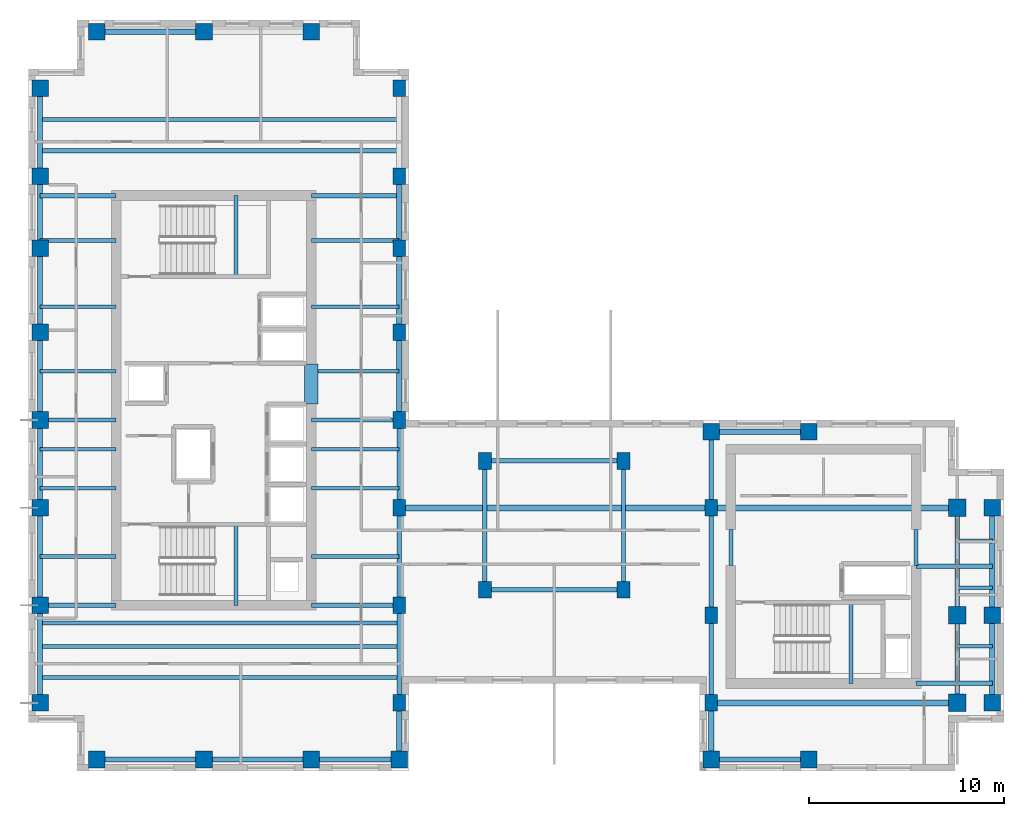
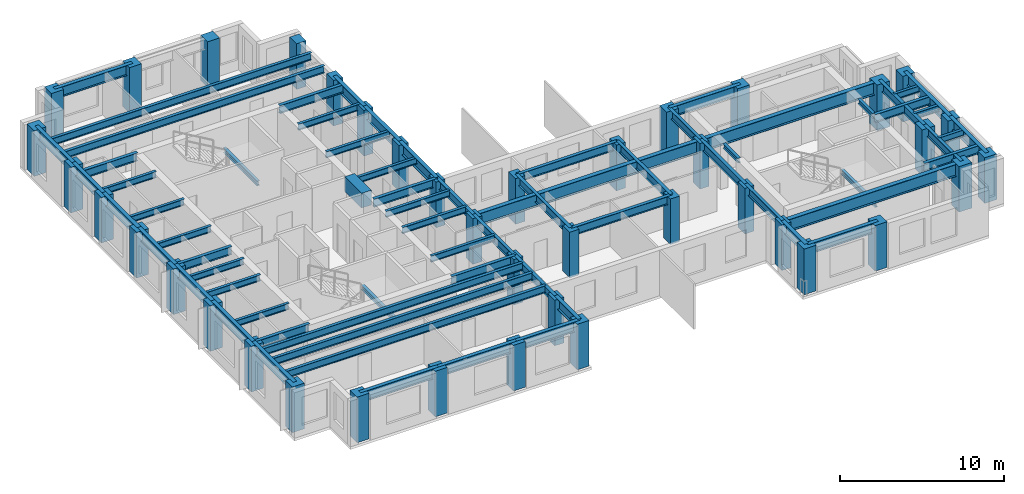
# One storey, part 1 of 10: 69 beams, 40 columns.
"""IFC4 building model written with IfcOpenShell, lengths in metres."""

import ifcopenshell
import ifcopenshell.guid

model = None  # the IFC model being written
_history = None  # IfcOwnerHistory: only IFC2X3 demands one
_inside = {}  # id of a spatial element -> (the spatial element, [elements in it])
_under = {}  # id of a project, library or spatial element -> (it, [spatial elements below it])
_declared = {}  # id of a project -> (the project, [libraries it declares])
_typed = {}  # id of a type object -> (the type object, [elements of that type])
_made_of = {}  # id of a material, layer set ... -> (it, [elements and type objects made of it])


def new_model(schema):
    """Start an empty IFC model of exactly this schema.

    Asked for "IFC4X3", IfcOpenShell would pick the latest addendum, in which some entities
    have other attributes; the version numbers below select the first issue.
    IFC2X3 requires an IfcOwnerHistory on every rooted entity: one is made here for all.
    """
    global model, _history
    if schema == "IFC4X3":
        model = ifcopenshell.file(schema_version=(4, 3, 0, 0))
    else:
        model = ifcopenshell.file(schema=schema)
    _inside.clear()
    _under.clear()
    _declared.clear()
    _typed.clear()
    _made_of.clear()
    _history = None
    if model.schema == "IFC2X3":
        org = make("IfcOrganization", Name="unknown")
        user = make(
            "IfcPersonAndOrganization",
            ThePerson=make("IfcPerson", FamilyName="unknown"),
            TheOrganization=org,
        )
        app = make(
            "IfcApplication",
            ApplicationDeveloper=org,
            Version="unknown",
            ApplicationFullName="unknown",
            ApplicationIdentifier="unknown",
        )
        _history = make(
            "IfcOwnerHistory",
            OwningUser=user,
            OwningApplication=app,
            ChangeAction="ADDED",
            CreationDate=0,
        )
    return model


def make(cls, **values):
    """One entity of the class cls with the attributes given. An attribute that is None is left unset."""
    return model.create_entity(
        cls, **{name: value for name, value in values.items() if value is not None}
    )


def rooted(cls, **values):
    """An entity with a GlobalId (a new one), such as an element, a storey or a relation."""
    return make(cls, GlobalId=ifcopenshell.guid.new(), OwnerHistory=_history, **values)


def si_unit(unit_type, name, prefix=None):
    """IfcSIUnit, for example si_unit("LENGTHUNIT", "METRE", prefix="MILLI")."""
    return make("IfcSIUnit", UnitType=unit_type, Prefix=prefix, Name=name)


def assignment(units):
    """IfcUnitAssignment: the units of a project."""
    return None if units is None else make("IfcUnitAssignment", Units=units)


def point(xyz):
    """IfcCartesianPoint."""
    return None if xyz is None else make("IfcCartesianPoint", Coordinates=xyz)


def direction(xyz):
    """IfcDirection."""
    return None if xyz is None else make("IfcDirection", DirectionRatios=xyz)


def frame(location, z_axis=None, x_axis=None):
    """IfcAxis2Placement3D, a coordinate frame: its origin and axes. An axis left out is left unset."""
    return make(
        "IfcAxis2Placement3D",
        Location=point(location),
        Axis=direction(z_axis),
        RefDirection=direction(x_axis),
    )


def frame_2d(location, x_axis=None):
    """IfcAxis2Placement2D, a coordinate frame in the plane: its origin and x axis."""
    return make(
        "IfcAxis2Placement2D", Location=point(location), RefDirection=direction(x_axis)
    )


def origin():
    """The frame at (0, 0, 0) with its axes left unset."""
    return frame((0.0, 0.0, 0.0))


def origin_2d():
    """The frame at (0, 0) in the plane with its x axis left unset."""
    return frame_2d((0.0, 0.0))


def place(relative_to, where):
    """IfcLocalPlacement: puts the frame where relative to a parent placement (None: the world)."""
    return make(
        "IfcLocalPlacement", PlacementRelTo=relative_to, RelativePlacement=where
    )


def context(
    kind, dimensions, precision=None, world=None, true_north=None, identifier=None
):
    """IfcGeometricRepresentationContext, for example the 3D "Model" context."""
    return make(
        "IfcGeometricRepresentationContext",
        ContextIdentifier=identifier,
        ContextType=kind,
        CoordinateSpaceDimension=dimensions,
        Precision=precision,
        WorldCoordinateSystem=world,
        TrueNorth=true_north,
    )


def subcontext(parent, identifier, kind, view, scale=None):
    """IfcGeometricRepresentationSubContext, for example "Body" below "Model"."""
    return make(
        "IfcGeometricRepresentationSubContext",
        ContextIdentifier=identifier,
        ContextType=kind,
        ParentContext=parent,
        TargetScale=scale,
        TargetView=view,
    )


def project(units=None, contexts=None):
    """IfcProject with its units and contexts."""
    return rooted(
        "IfcProject",
        Name="project",
        RepresentationContexts=contexts,
        UnitsInContext=assignment(units),
    )


def spatial(cls, under=None, at=None, **own):
    """A site, building, storey or space (cls), placed at a placement, below another one or the project."""
    s = rooted(cls, ObjectPlacement=at, **own)
    if under is not None:
        _under.setdefault(under.id(), (under, []))[1].append(s)
    return s


def profile(cls, at=None, kind="AREA", **sizes):
    """A parametric profile (cls). Its sizes go by their IFC names, for example OverallWidth=200.0."""
    return make(cls, ProfileType=kind, Position=at, **sizes)


def rectangle(**sizes):
    """IfcRectangleProfileDef."""
    return profile("IfcRectangleProfileDef", **sizes)


def i_section(**sizes):
    """IfcIShapeProfileDef."""
    return profile("IfcIShapeProfileDef", **sizes)


def extrude(swept, where, along, depth):
    """IfcExtrudedAreaSolid: the profile swept, set in the frame where, extruded along a direction by depth."""
    return make(
        "IfcExtrudedAreaSolid",
        SweptArea=swept,
        Position=where,
        ExtrudedDirection=direction(along),
        Depth=depth,
    )


def shape(context_of_items, identifier, shape_type, items):
    """IfcShapeRepresentation: the items that make up one representation, for example the "Body"."""
    return make(
        "IfcShapeRepresentation",
        ContextOfItems=context_of_items,
        RepresentationIdentifier=identifier,
        RepresentationType=shape_type,
        Items=items,
    )


def source(mapping_origin, context_of_items, identifier, shape_type, items):
    """IfcRepresentationMap: a shape defined once, which mapped items show again and again."""
    return make(
        "IfcRepresentationMap",
        MappingOrigin=mapping_origin,
        MappedRepresentation=shape(context_of_items, identifier, shape_type, items),
    )


def transform(
    local_origin,
    x_axis=None,
    y_axis=None,
    z_axis=None,
    scale=None,
    scale2=None,
    scale3=None,
    uniform=True,
):
    """IfcCartesianTransformationOperator3D, or its non-uniform kind. x_axis, y_axis, z_axis: its Axis1, 2, 3."""
    if uniform:
        return make(
            "IfcCartesianTransformationOperator3D",
            Axis1=direction(x_axis),
            Axis2=direction(y_axis),
            LocalOrigin=point(local_origin),
            Scale=scale,
            Axis3=direction(z_axis),
        )
    return make(
        "IfcCartesianTransformationOperator3DnonUniform",
        Axis1=direction(x_axis),
        Axis2=direction(y_axis),
        LocalOrigin=point(local_origin),
        Scale=scale,
        Axis3=direction(z_axis),
        Scale2=scale2,
        Scale3=scale3,
    )


def mapped(mapping_source, mapping_target):
    """IfcMappedItem: shows the shape of a source again, moved by a transform."""
    return make(
        "IfcMappedItem", MappingSource=mapping_source, MappingTarget=mapping_target
    )


def material(Name=None, Category=None):
    """IfcMaterial."""
    return make("IfcMaterial", Name=Name, Category=Category)


def material_profile(
    of_material, cross_section, Name=None, Category=None, Priority=None
):
    """IfcMaterialProfile: a cross section and its material."""
    return make(
        "IfcMaterialProfile",
        Name=Name,
        Material=of_material,
        Profile=cross_section,
        Priority=Priority,
        Category=Category,
    )


def profile_set(profiles, Name=None, composite=None):
    """IfcMaterialProfileSet."""
    return make(
        "IfcMaterialProfileSet",
        Name=Name,
        MaterialProfiles=profiles,
        CompositeProfile=composite,
    )


def made_of(thing, what):
    """Note that an element or type object is made of a material, layer set ...; save() writes the relation."""
    if what is not None:
        _made_of.setdefault(what.id(), (what, []))[1].append(thing)
    return thing


def type_object(cls, material=None, **own):
    """A type object (cls), such as IfcWallType, which elements share."""
    return made_of(rooted(cls, **own), material)


def element(
    cls,
    number,
    at=None,
    inside=None,
    cuts=None,
    type_object=None,
    material=None,
    context=None,
    identifier="Body",
    shape_type=None,
    held_by="IfcProductDefinitionShape",
    body=None,
    shapes=None,
    **own,
):
    """One element of the class cls, such as IfcWall. Its Tag is "e" and its number.

    at: its placement. inside: the storey or other place that contains it. cuts: it is an
    opening in that element (IfcRelVoidsElement). A single representation is given by context,
    identifier, shape_type and body (its items); several are given by shapes. held_by: the class
    of the entity that holds the representations. save() writes the other relations.
    """
    e = rooted(cls, Tag="e%d" % number, ObjectPlacement=at, **own)
    if body is not None:
        shapes = [shape(context, identifier, shape_type, body)]
    if shapes is not None:
        e.Representation = make(held_by, Representations=shapes)
    if inside is not None:
        _inside.setdefault(inside.id(), (inside, []))[1].append(e)
    if cuts is not None:
        rooted(
            "IfcRelVoidsElement", RelatingBuildingElement=cuts, RelatedOpeningElement=e
        )
    if type_object is not None:
        _typed.setdefault(type_object.id(), (type_object, []))[1].append(e)
    return made_of(e, material)


def aggregate(whole, parts):
    """IfcRelAggregates: a whole, such as a stair, and the parts it consists of."""
    return rooted("IfcRelAggregates", RelatingObject=whole, RelatedObjects=parts)


def save(model, path):
    """Write the relations noted so far, then the file.

    IfcRelAggregates (storeys below a building ...), IfcRelContainedInSpatialStructure (elements
    in a storey), IfcRelDefinesByType, IfcRelAssociatesMaterial and IfcRelDeclares: one each for
    every whole, place, type object, material and project.
    """
    for whole, parts in _under.values():
        aggregate(whole, parts)
    for where, things in _inside.values():
        rooted(
            "IfcRelContainedInSpatialStructure",
            RelatedElements=things,
            RelatingStructure=where,
        )
    for kind, things in _typed.values():
        rooted("IfcRelDefinesByType", RelatedObjects=things, RelatingType=kind)
    for what, things in _made_of.values():
        rooted("IfcRelAssociatesMaterial", RelatedObjects=things, RelatingMaterial=what)
    for by, libraries in _declared.values():
        rooted("IfcRelDeclares", RelatingContext=by, RelatedDefinitions=libraries)
    model.write(path)


model = new_model("IFC4")

# Units and contexts
model_context = context("Model", 3, precision=1e-05, world=origin(), true_north=direction((0.0, 1.0)))
body_context = subcontext(model_context, "Body", "Model", "MODEL_VIEW")
ifc_project = project(units=[si_unit("LENGTHUNIT", "METRE"), si_unit("AREAUNIT", "SQUARE_METRE"), si_unit("VOLUMEUNIT", "CUBIC_METRE"), si_unit("PLANEANGLEUNIT", "RADIAN"), si_unit("MASSUNIT", "GRAM", prefix="KILO")], contexts=[model_context])

# Site, building, storey
site_placement = place(None, origin())
site = spatial("IfcSite", under=ifc_project, at=site_placement, CompositionType="ELEMENT")
building_placement = place(site_placement, origin())
building = spatial("IfcBuilding", under=site, at=building_placement, Name="Kharzan Plaza Tower", CompositionType="ELEMENT")
storey_placement = place(building_placement, frame((0.0, 0.0, 216.0)))
storey = spatial("IfcBuildingStorey", under=building, at=storey_placement, Name="L58", CompositionType="ELEMENT", Elevation=216.0)

# Columns
ifc_material_1 = material(Name="Concrete C50/60", Category="concrete")
ifc_material_profile_1 = material_profile(ifc_material_1, rectangle(XDim=0.89990234375, YDim=0.89990234375, at=origin_2d()), Name="RC-IC900x900")
ifc_profile_set_1 = profile_set([ifc_material_profile_1], Name="Concrete C50/60")
column_type_1 = type_object("IfcColumnType", Name="COL-IC900", PredefinedType="COLUMN", material=ifc_profile_set_1)
shared_shape_1 = source(origin(), body_context, "Body", "SweptSolid", [
    extrude(rectangle(XDim=0.89990234375, YDim=0.89990234375, at=origin_2d()), origin(), (0.0, 0.0, 1.0), 3.39990234375),
])
for number, where, z_axis, x_axis, name in (
    (1, (47.60009765625, 13.5, 0.0), (0.0, 0.0, 1.0), (1.0, 0.0, 0.0), "L58 Structural Column TCBI-135"),
    (2, (47.60009765625, 3.5, 0.0), (0.0, 0.0, 1.0), (1.0, 0.0, 0.0), "L58 Structural Column TCBI-35"),
    (3, (47.60009765625, 8.0, 0.0), (0.0, 0.0, 1.0), (1.0, 0.0, 0.0), "L58 Structural Column TCBI-80"),
):
    element("IfcColumn", number, at=place(storey_placement, frame(where, z_axis=z_axis, x_axis=x_axis)), inside=storey, type_object=column_type_1, Name=name, PredefinedType="COLUMN", context=body_context, shape_type="MappedRepresentation", body=[
        mapped(shared_shape_1, transform((0.0, 0.0, 0.0), x_axis=(1.0, 0.0, 0.0), y_axis=(0.0, 1.0, 0.0), z_axis=(0.0, 0.0, 1.0))),
    ])
ifc_material_profile_2 = material_profile(ifc_material_1, rectangle(XDim=0.64990234375, YDim=0.85009765625, at=origin_2d()), Name="RC-SC850x650")
ifc_profile_set_2 = profile_set([ifc_material_profile_2], Name="Concrete C50/60")
column_type_2 = type_object("IfcColumnType", Name="COL-SC850", PredefinedType="COLUMN", material=ifc_profile_set_2)
shared_shape_2 = source(origin(), body_context, "Body", "SweptSolid", [
    extrude(rectangle(XDim=0.64990234375, YDim=0.85009765625, at=origin_2d()), origin(), (0.0, 0.0, 1.0), 3.39990234375),
])
for number, where, z_axis, x_axis, name in (
    (4, (19.0, 13.5, 0.0), (0.0, 0.0, 1.0), (1.0, 0.0, 0.0), "L58 Structural Column TCA-135"),
    (5, (19.0, 18.0, 0.0), (0.0, 0.0, 1.0), (1.0, 0.0, 0.0), "L58 Structural Column TCA-180"),
    (6, (19.0, 22.5, 0.0), (0.0, 0.0, 1.0), (1.0, 0.0, 0.0), "L58 Structural Column TCA-225"),
    (7, (19.0, 26.800048828125, 0.0), (0.0, 0.0, 1.0), (1.0, 0.0, 0.0), "L58 Structural Column TCA-268"),
    (8, (19.0, 30.5, 0.0), (0.0, 0.0, 1.0), (1.0, 0.0, 0.0), "L58 Structural Column TCA-305"),
    (9, (19.0, 3.5, 0.0), (0.0, 0.0, 1.0), (1.0, 0.0, 0.0), "L58 Structural Column TCA-35"),
    (10, (19.0, 35.0, 0.0), (0.0, 0.0, 1.0), (1.0, 0.0, 0.0), "L58 Structural Column TCA-350"),
    (11, (19.0, 8.5, 0.0), (0.0, 0.0, 1.0), (1.0, 0.0, 0.0), "L58 Structural Column TCA-85"),
    (12, (35.0, 13.5, 0.0), (0.0, 0.0, 1.0), (1.0, 0.0, 0.0), "L58 Structural Column TCBS-135"),
    (13, (35.0, 3.5, 0.0), (0.0, 0.0, 1.0), (1.0, 0.0, 0.0), "L58 Structural Column TCBS-35"),
    (14, (35.0, 8.0, 0.0), (0.0, 0.0, 1.0), (1.0, 0.0, 0.0), "L58 Structural Column TCBS-80"),
    (15, (23.39990234375, 15.89990234375, 0.0), (0.0, 0.0, 1.0), (1.0, 0.0, 0.0), "L58 Structural Column TCSP-234-159"),
    (16, (23.39990234375, 9.300048828125, 0.0), (0.0, 0.0, 1.0), (1.0, 0.0, 0.0), "L58 Structural Column TCSP-234-93"),
    (17, (30.5, 15.89990234375, 0.0), (0.0, 0.0, 1.0), (1.0, 0.0, 0.0), "L58 Structural Column TCSP-305-159"),
    (18, (30.5, 9.300048828125, 0.0), (0.0, 0.0, 1.0), (1.0, 0.0, 0.0), "L58 Structural Column TCSP-305-93"),
):
    element("IfcColumn", number, at=place(storey_placement, frame(where, z_axis=z_axis, x_axis=x_axis)), inside=storey, type_object=column_type_2, Name=name, PredefinedType="COLUMN", context=body_context, shape_type="MappedRepresentation", body=[
        mapped(shared_shape_2, transform((0.0, 0.0, 0.0), x_axis=(1.0, 0.0, 0.0), y_axis=(0.0, 1.0, 0.0), z_axis=(0.0, 0.0, 1.0))),
    ])
ifc_material_profile_3 = material_profile(ifc_material_1, rectangle(XDim=0.85009765625, YDim=0.85009765625, at=origin_2d()), Name="RC-TC850x850")
ifc_profile_set_3 = profile_set([ifc_material_profile_3], Name="Concrete C50/60")
column_type_3 = type_object("IfcColumnType", Name="COL-TC850", PredefinedType="COLUMN", material=ifc_profile_set_3)
shared_shape_3 = source(origin(), body_context, "Body", "SweptSolid", [
    extrude(rectangle(XDim=0.85009765625, YDim=0.85009765625, at=origin_2d()), origin(), (0.0, 0.0, 1.0), 3.39990234375),
])
for number, where, z_axis, x_axis, name in (
    (19, (35.0, 17.39990234375, 0.0), (0.0, 0.0, 1.0), (1.0, 0.0, 0.0), "L58 Structural Column TCBN-350-174"),
    (20, (40.0, 17.39990234375, 0.0), (0.0, 0.0, 1.0), (1.0, 0.0, 0.0), "L58 Structural Column TCBN-400-174"),
    (21, (49.39990234375, 13.5, 0.0), (0.0, 0.0, 1.0), (1.0, 0.0, 0.0), "L58 Structural Column TCE-494-135"),
    (22, (49.39990234375, 3.5, 0.0), (0.0, 0.0, 1.0), (1.0, 0.0, 0.0), "L58 Structural Column TCE-494-35"),
    (23, (49.39990234375, 8.0, 0.0), (0.0, 0.0, 1.0), (1.0, 0.0, 0.0), "L58 Structural Column TCE-494-80"),
    (24, (14.5, 37.89990234375, 0.0), (0.0, 0.0, 1.0), (1.0, 0.0, 0.0), "L58 Structural Column TCN-145-379"),
    (25, (3.5, 37.89990234375, 0.0), (0.0, 0.0, 1.0), (1.0, 0.0, 0.0), "L58 Structural Column TCN-35-379"),
    (26, (9.0, 37.89990234375, 0.0), (0.0, 0.0, 1.0), (1.0, 0.0, 0.0), "L58 Structural Column TCN-90-379"),
    (27, (14.5, 0.60009765625, 0.0), (0.0, 0.0, 1.0), (1.0, 0.0, 0.0), "L58 Structural Column TCS-145"),
    (28, (19.0, 0.60009765625, 0.0), (0.0, 0.0, 1.0), (1.0, 0.0, 0.0), "L58 Structural Column TCS-190"),
    (29, (3.5, 0.60009765625, 0.0), (0.0, 0.0, 1.0), (1.0, 0.0, 0.0), "L58 Structural Column TCS-35"),
    (30, (35.0, 0.60009765625, 0.0), (0.0, 0.0, 1.0), (1.0, 0.0, 0.0), "L58 Structural Column TCS-350"),
    (31, (40.0, 0.60009765625, 0.0), (0.0, 0.0, 1.0), (1.0, 0.0, 0.0), "L58 Structural Column TCS-400"),
    (32, (9.0, 0.60009765625, 0.0), (0.0, 0.0, 1.0), (1.0, 0.0, 0.0), "L58 Structural Column TCS-90"),
    (33, (0.60009765625, 13.5, 0.0), (0.0, 0.0, 1.0), (1.0, 0.0, 0.0), "L58 Structural Column TCW-135"),
    (34, (0.60009765625, 18.0, 0.0), (0.0, 0.0, 1.0), (1.0, 0.0, 0.0), "L58 Structural Column TCW-180"),
    (35, (0.60009765625, 22.5, 0.0), (0.0, 0.0, 1.0), (1.0, 0.0, 0.0), "L58 Structural Column TCW-225"),
    (36, (0.60009765625, 26.800048828125, 0.0), (0.0, 0.0, 1.0), (1.0, 0.0, 0.0), "L58 Structural Column TCW-268"),
    (37, (0.60009765625, 30.5, 0.0), (0.0, 0.0, 1.0), (1.0, 0.0, 0.0), "L58 Structural Column TCW-305"),
    (38, (0.60009765625, 3.5, 0.0), (0.0, 0.0, 1.0), (1.0, 0.0, 0.0), "L58 Structural Column TCW-35"),
    (39, (0.60009765625, 35.0, 0.0), (0.0, 0.0, 1.0), (1.0, 0.0, 0.0), "L58 Structural Column TCW-350"),
    (40, (0.60009765625, 8.5, 0.0), (0.0, 0.0, 1.0), (1.0, 0.0, 0.0), "L58 Structural Column TCW-85"),
):
    element("IfcColumn", number, at=place(storey_placement, frame(where, z_axis=z_axis, x_axis=x_axis)), inside=storey, type_object=column_type_3, Name=name, PredefinedType="COLUMN", context=body_context, shape_type="MappedRepresentation", body=[
        mapped(shared_shape_3, transform((0.0, 0.0, 0.0), x_axis=(1.0, 0.0, 0.0), y_axis=(0.0, 1.0, 0.0), z_axis=(0.0, 0.0, 1.0))),
    ])

# Beams
ifc_material_2 = material(Name="Concrete C60/75", Category="concrete")
ifc_material_profile_4 = material_profile(ifc_material_2, rectangle(XDim=0.699951171875, YDim=1.10009765625, at=origin_2d()), Name="RC-CB1100x700")
ifc_profile_set_4 = profile_set([ifc_material_profile_4], Name="Concrete C60/75")
beam_type_1 = type_object("IfcBeamType", Name="BM-RCCB1100", PredefinedType="LINTEL", material=ifc_profile_set_4)
shared_shape_4 = source(origin(), body_context, "Body", "SweptSolid", [
    extrude(rectangle(XDim=0.699951171875, YDim=1.10009765625, at=origin_2d()), origin(), (0.0, 0.0, 1.0), 2.059814453125),
])
beam_1_placement = place(storey_placement, frame((14.5, 18.820068359375, 2.85009765625), z_axis=(0.0, 1.0, 0.0), x_axis=(-1.0, 0.0, 0.0)))
element("IfcBeam", 41, at=beam_1_placement, inside=storey, type_object=beam_type_1, Name="L58 CORE-A RC coupling beam CB1", PredefinedType="LINTEL", context=body_context, shape_type="MappedRepresentation", body=[
    mapped(shared_shape_4, transform((0.0, 0.0, 0.0), x_axis=(1.0, 0.0, 0.0), y_axis=(0.0, 1.0, 0.0), z_axis=(0.0, 0.0, 1.0))),
])
ifc_material_3 = material(Name="Steel S355", Category="steel")
ifc_material_profile_5 = material_profile(ifc_material_3, i_section(OverallWidth=0.205078125, OverallDepth=0.35400390625, WebThickness=0.009521484375, FlangeThickness=0.016845703125, at=origin_2d()), Name="W360x79")
ifc_profile_set_5 = profile_set([ifc_material_profile_5], Name="Steel S355")
beam_type_2 = type_object("IfcBeamType", Name="BM-LNT360", PredefinedType="LINTEL", material=ifc_profile_set_5)
shared_shape_5 = source(origin(), body_context, "Body", "SweptSolid", [
    extrude(i_section(OverallWidth=0.205078125, OverallDepth=0.35400390625, WebThickness=0.009521484375, FlangeThickness=0.016845703125, at=origin_2d()), origin(), (0.0, 0.0, 1.0), 1.849853515625),
])
for number, where, z_axis, x_axis, name in (
    (42, (45.5, 10.550048828125, 3.222900390625), (0.0, 1.0, 0.0), (-1.0, 0.0, 0.0), "L58 CORE-B coupling lintel LN1-WE"),
    (43, (36.0, 10.550048828125, 3.222900390625), (0.0, 1.0, 0.0), (-1.0, 0.0, 0.0), "L58 CORE-B coupling lintel LN1-WW"),
):
    element("IfcBeam", number, at=place(storey_placement, frame(where, z_axis=z_axis, x_axis=x_axis)), inside=storey, type_object=beam_type_2, Name=name, PredefinedType="LINTEL", context=body_context, shape_type="MappedRepresentation", body=[
        mapped(shared_shape_5, transform((0.0, 0.0, 0.0), x_axis=(1.0, 0.0, 0.0), y_axis=(0.0, 1.0, 0.0), z_axis=(0.0, 0.0, 1.0))),
    ])
shared_shape_6 = source(origin(), body_context, "Body", "SweptSolid", [
    extrude(i_section(OverallWidth=0.205078125, OverallDepth=0.35400390625, WebThickness=0.009521484375, FlangeThickness=0.016845703125, at=origin_2d()), origin(), (0.0, 0.0, 1.0), 4.155029296875),
])
for number, where, z_axis, x_axis, name in (
    (44, (10.64990234375, 8.5, 1.423095703125), (0.0, 1.0, 0.0), (-1.0, 0.0, 0.0), "L58 Stair ST-1 Half-Landing Beam"),
    (45, (10.64990234375, 25.344970703125, 1.423095703125), (0.0, 1.0, 0.0), (-1.0, 0.0, 0.0), "L58 Stair ST-2 Half-Landing Beam"),
    (46, (42.14990234375, 4.5, 1.423095703125), (0.0, 1.0, 0.0), (-1.0, 0.0, 0.0), "L58 Stair ST-3 Half-Landing Beam"),
):
    element("IfcBeam", number, at=place(storey_placement, frame(where, z_axis=z_axis, x_axis=x_axis)), inside=storey, type_object=beam_type_2, Name=name, PredefinedType="LINTEL", context=body_context, shape_type="MappedRepresentation", body=[
        mapped(shared_shape_6, transform((0.0, 0.0, 0.0), x_axis=(1.0, 0.0, 0.0), y_axis=(0.0, 1.0, 0.0), z_axis=(0.0, 0.0, 1.0))),
    ])
ifc_material_profile_6 = material_profile(ifc_material_3, i_section(OverallWidth=0.304931640625, OverallDepth=0.9189453125, WebThickness=0.017333984375, FlangeThickness=0.02783203125, at=origin_2d()), Name="W920x253")
ifc_profile_set_6 = profile_set([ifc_material_profile_6], Name="Steel S355")
beam_type_3 = type_object("IfcBeamType", Name="BM-FG920B", PredefinedType="BEAM", material=ifc_profile_set_6)
shared_shape_7 = source(origin(), body_context, "Body", "SweptSolid", [
    extrude(i_section(OverallWidth=0.304931640625, OverallDepth=0.9189453125, WebThickness=0.017333984375, FlangeThickness=0.02783203125, at=origin_2d()), origin(), (0.0, 0.0, 1.0), 12.60009765625),
])
for number, where, z_axis, x_axis, name in (
    (47, (35.0, 3.5, 2.9404296875), (1.0, 0.0, 0.0), (0.0, 1.0, 0.0), "L58 Primary Floor Girder"),
    (48, (35.0, 13.5, 2.9404296875), (1.0, 0.0, 0.0), (0.0, 1.0, 0.0), "L58 Primary Floor Girder"),
):
    element("IfcBeam", number, at=place(storey_placement, frame(where, z_axis=z_axis, x_axis=x_axis)), inside=storey, type_object=beam_type_3, Name=name, PredefinedType="BEAM", context=body_context, shape_type="MappedRepresentation", body=[
        mapped(shared_shape_7, transform((0.0, 0.0, 0.0), x_axis=(1.0, 0.0, 0.0), y_axis=(0.0, 1.0, 0.0), z_axis=(0.0, 0.0, 1.0))),
    ])
shared_shape_8 = source(origin(), body_context, "Body", "SweptSolid", [
    extrude(i_section(OverallWidth=0.304931640625, OverallDepth=0.9189453125, WebThickness=0.017333984375, FlangeThickness=0.02783203125, at=origin_2d()), origin(), (0.0, 0.0, 1.0), 16.0),
])
beam_2_placement = place(storey_placement, frame((19.0, 13.5, 2.9404296875), z_axis=(1.0, 0.0, 0.0), x_axis=(0.0, 1.0, 0.0)))
element("IfcBeam", 49, at=beam_2_placement, inside=storey, type_object=beam_type_3, Name="L58 Primary Floor Girder", PredefinedType="BEAM", context=body_context, shape_type="MappedRepresentation", body=[
    mapped(shared_shape_8, transform((0.0, 0.0, 0.0), x_axis=(1.0, 0.0, 0.0), y_axis=(0.0, 1.0, 0.0), z_axis=(0.0, 0.0, 1.0))),
])
ifc_material_profile_7 = material_profile(ifc_material_3, i_section(OverallWidth=0.2099609375, OverallDepth=0.537109375, WebThickness=0.010986328125, FlangeThickness=0.017333984375, at=origin_2d()), Name="W530x101")
ifc_profile_set_7 = profile_set([ifc_material_profile_7], Name="Steel S355")
beam_type_4 = type_object("IfcBeamType", Name="BM-JST530B", PredefinedType="JOIST", material=ifc_profile_set_7)
shared_shape_9 = source(origin(), body_context, "Body", "SweptSolid", [
    extrude(i_section(OverallWidth=0.2099609375, OverallDepth=0.537109375, WebThickness=0.010986328125, FlangeThickness=0.017333984375, at=origin_2d()), origin(), (0.0, 0.0, 1.0), 18.39990234375),
])
for number, where, z_axis, x_axis, name in (
    (50, (0.60009765625, 4.800048828125, 3.131591796875), (1.0, 0.0, 0.0), (0.0, 1.0, 0.0), "L58 Wing A Composite Joist 01"),
    (51, (0.60009765625, 6.39990234375, 3.131591796875), (1.0, 0.0, 0.0), (0.0, 1.0, 0.0), "L58 Wing A Composite Joist 02"),
    (52, (0.60009765625, 7.60009765625, 3.131591796875), (1.0, 0.0, 0.0), (0.0, 1.0, 0.0), "L58 Wing A Composite Joist 03"),
    (53, (0.60009765625, 31.800048828125, 3.131591796875), (1.0, 0.0, 0.0), (0.0, 1.0, 0.0), "L58 Wing A Composite Joist 04"),
    (54, (0.60009765625, 33.39990234375, 3.131591796875), (1.0, 0.0, 0.0), (0.0, 1.0, 0.0), "L58 Wing A Composite Joist 05"),
):
    element("IfcBeam", number, at=place(storey_placement, frame(where, z_axis=z_axis, x_axis=x_axis)), inside=storey, type_object=beam_type_4, Name=name, PredefinedType="JOIST", context=body_context, shape_type="MappedRepresentation", body=[
        mapped(shared_shape_9, transform((0.0, 0.0, 0.0), x_axis=(1.0, 0.0, 0.0), y_axis=(0.0, 1.0, 0.0), z_axis=(0.0, 0.0, 1.0))),
    ])
ifc_material_profile_8 = material_profile(ifc_material_3, i_section(OverallWidth=0.194091796875, OverallDepth=0.468994140625, WebThickness=0.011474609375, FlangeThickness=0.0205078125, at=origin_2d()), Name="W460x106")
ifc_profile_set_8 = profile_set([ifc_material_profile_8], Name="Steel S355")
beam_type_5 = type_object("IfcBeamType", Name="BM-JST460", PredefinedType="JOIST", material=ifc_profile_set_8)
shared_shape_10 = source(origin(), body_context, "Body", "SweptSolid", [
    extrude(i_section(OverallWidth=0.194091796875, OverallDepth=0.468994140625, WebThickness=0.011474609375, FlangeThickness=0.0205078125, at=origin_2d()), origin(), (0.0, 0.0, 1.0), 4.5),
])
for number, where, z_axis, x_axis, name in (
    (55, (14.5, 11.0, 3.16552734375), (1.0, 0.0, 0.0), (0.0, 1.0, 0.0), "L58 Wing A East Infill Joist 1"),
    (56, (14.5, 14.5, 3.16552734375), (1.0, 0.0, 0.0), (0.0, 1.0, 0.0), "L58 Wing A East Infill Joist 2"),
    (57, (14.5, 16.5, 3.16552734375), (1.0, 0.0, 0.0), (0.0, 1.0, 0.0), "L58 Wing A East Infill Joist 3"),
    (58, (14.5, 20.5, 3.16552734375), (1.0, 0.0, 0.0), (0.0, 1.0, 0.0), "L58 Wing A East Infill Joist 4"),
    (59, (14.5, 23.800048828125, 3.16552734375), (1.0, 0.0, 0.0), (0.0, 1.0, 0.0), "L58 Wing A East Infill Joist 5"),
    (60, (14.5, 27.199951171875, 3.16552734375), (1.0, 0.0, 0.0), (0.0, 1.0, 0.0), "L58 Wing A East Infill Joist 6"),
):
    element("IfcBeam", number, at=place(storey_placement, frame(where, z_axis=z_axis, x_axis=x_axis)), inside=storey, type_object=beam_type_5, Name=name, PredefinedType="JOIST", context=body_context, shape_type="MappedRepresentation", body=[
        mapped(shared_shape_10, transform((0.0, 0.0, 0.0), x_axis=(1.0, 0.0, 0.0), y_axis=(0.0, 1.0, 0.0), z_axis=(0.0, 0.0, 1.0))),
    ])
shared_shape_11 = source(origin(), body_context, "Body", "SweptSolid", [
    extrude(i_section(OverallWidth=0.194091796875, OverallDepth=0.468994140625, WebThickness=0.011474609375, FlangeThickness=0.0205078125, at=origin_2d()), origin(), (0.0, 0.0, 1.0), 3.89990234375),
])
for number, where, z_axis, x_axis, name in (
    (61, (0.60009765625, 11.0, 3.16552734375), (1.0, 0.0, 0.0), (0.0, 1.0, 0.0), "L58 Wing A West Infill Joist 1"),
    (62, (0.60009765625, 14.5, 3.16552734375), (1.0, 0.0, 0.0), (0.0, 1.0, 0.0), "L58 Wing A West Infill Joist 2"),
    (63, (0.60009765625, 16.5, 3.16552734375), (1.0, 0.0, 0.0), (0.0, 1.0, 0.0), "L58 Wing A West Infill Joist 3"),
    (64, (0.60009765625, 20.5, 3.16552734375), (1.0, 0.0, 0.0), (0.0, 1.0, 0.0), "L58 Wing A West Infill Joist 4"),
    (65, (0.60009765625, 23.800048828125, 3.16552734375), (1.0, 0.0, 0.0), (0.0, 1.0, 0.0), "L58 Wing A West Infill Joist 5"),
    (66, (0.60009765625, 27.199951171875, 3.16552734375), (1.0, 0.0, 0.0), (0.0, 1.0, 0.0), "L58 Wing A West Infill Joist 6"),
):
    element("IfcBeam", number, at=place(storey_placement, frame(where, z_axis=z_axis, x_axis=x_axis)), inside=storey, type_object=beam_type_5, Name=name, PredefinedType="JOIST", context=body_context, shape_type="MappedRepresentation", body=[
        mapped(shared_shape_11, transform((0.0, 0.0, 0.0), x_axis=(1.0, 0.0, 0.0), y_axis=(0.0, 1.0, 0.0), z_axis=(0.0, 0.0, 1.0))),
    ])
ifc_material_profile_9 = material_profile(ifc_material_3, i_section(OverallWidth=0.22900390625, OverallDepth=0.612060546875, WebThickness=0.011962890625, FlangeThickness=0.01953125, at=origin_2d()), Name="W610x125")
ifc_profile_set_9 = profile_set([ifc_material_profile_9], Name="Steel S355")
beam_type_6 = type_object("IfcBeamType", Name="BM-FG610B", PredefinedType="BEAM", material=ifc_profile_set_9)
shared_shape_12 = source(origin(), body_context, "Body", "SweptSolid", [
    extrude(i_section(OverallWidth=0.22900390625, OverallDepth=0.612060546875, WebThickness=0.011962890625, FlangeThickness=0.01953125, at=origin_2d()), origin(), (0.0, 0.0, 1.0), 4.5),
])
for number, where, z_axis, x_axis, name in (
    (67, (14.5, 8.5, 3.093994140625), (1.0, 0.0, 0.0), (0.0, 1.0, 0.0), "L58 Core-A East Floor Girder 1"),
    (68, (14.5, 18.0, 3.093994140625), (1.0, 0.0, 0.0), (0.0, 1.0, 0.0), "L58 Core-A East Floor Girder 2"),
    (69, (14.5, 29.5, 3.093994140625), (1.0, 0.0, 0.0), (0.0, 1.0, 0.0), "L58 Core-A East Floor Girder 3"),
    (70, (19.0, 13.5, 3.093994140625), (0.0, 1.0, 0.0), (-1.0, 0.0, 0.0), "L58 Interior Frame Girder"),
    (71, (35.0, 3.5, 3.093994140625), (0.0, 1.0, 0.0), (-1.0, 0.0, 0.0), "L58 Interior Frame Girder"),
    (72, (47.60009765625, 3.5, 3.093994140625), (0.0, 1.0, 0.0), (-1.0, 0.0, 0.0), "L58 Interior Frame Girder"),
):
    element("IfcBeam", number, at=place(storey_placement, frame(where, z_axis=z_axis, x_axis=x_axis)), inside=storey, type_object=beam_type_6, Name=name, PredefinedType="BEAM", context=body_context, shape_type="MappedRepresentation", body=[
        mapped(shared_shape_12, transform((0.0, 0.0, 0.0), x_axis=(1.0, 0.0, 0.0), y_axis=(0.0, 1.0, 0.0), z_axis=(0.0, 0.0, 1.0))),
    ])
shared_shape_13 = source(origin(), body_context, "Body", "SweptSolid", [
    extrude(i_section(OverallWidth=0.22900390625, OverallDepth=0.612060546875, WebThickness=0.011962890625, FlangeThickness=0.01953125, at=origin_2d()), origin(), (0.0, 0.0, 1.0), 3.89990234375),
])
for number, where, z_axis, x_axis, name in (
    (73, (0.60009765625, 8.5, 3.093994140625), (1.0, 0.0, 0.0), (0.0, 1.0, 0.0), "L58 Core-A West Floor Girder 1"),
    (74, (0.60009765625, 18.0, 3.093994140625), (1.0, 0.0, 0.0), (0.0, 1.0, 0.0), "L58 Core-A West Floor Girder 2"),
    (75, (0.60009765625, 29.5, 3.093994140625), (1.0, 0.0, 0.0), (0.0, 1.0, 0.0), "L58 Core-A West Floor Girder 3"),
    (76, (45.5, 4.5, 3.093994140625), (1.0, 0.0, 0.0), (0.0, 1.0, 0.0), "L58 Core-B East Floor Girder 1"),
    (77, (45.5, 10.5, 3.093994140625), (1.0, 0.0, 0.0), (0.0, 1.0, 0.0), "L58 Core-B East Floor Girder 2"),
    (78, (35.0, 13.5, 3.093994140625), (0.0, 1.0, 0.0), (-1.0, 0.0, 0.0), "L58 Interior Frame Girder"),
):
    element("IfcBeam", number, at=place(storey_placement, frame(where, z_axis=z_axis, x_axis=x_axis)), inside=storey, type_object=beam_type_6, Name=name, PredefinedType="BEAM", context=body_context, shape_type="MappedRepresentation", body=[
        mapped(shared_shape_13, transform((0.0, 0.0, 0.0), x_axis=(1.0, 0.0, 0.0), y_axis=(0.0, 1.0, 0.0), z_axis=(0.0, 0.0, 1.0))),
    ])
shared_shape_14 = source(origin(), body_context, "Body", "SweptSolid", [
    extrude(i_section(OverallWidth=0.22900390625, OverallDepth=0.612060546875, WebThickness=0.011962890625, FlangeThickness=0.01953125, at=origin_2d()), origin(), (0.0, 0.0, 1.0), 5.0),
])
for number, where, z_axis, x_axis, name in (
    (79, (19.0, 3.5, 3.093994140625), (0.0, 1.0, 0.0), (-1.0, 0.0, 0.0), "L58 Interior Frame Girder"),
    (80, (19.0, 8.5, 3.093994140625), (0.0, 1.0, 0.0), (-1.0, 0.0, 0.0), "L58 Interior Frame Girder"),
):
    element("IfcBeam", number, at=place(storey_placement, frame(where, z_axis=z_axis, x_axis=x_axis)), inside=storey, type_object=beam_type_6, Name=name, PredefinedType="BEAM", context=body_context, shape_type="MappedRepresentation", body=[
        mapped(shared_shape_14, transform((0.0, 0.0, 0.0), x_axis=(1.0, 0.0, 0.0), y_axis=(0.0, 1.0, 0.0), z_axis=(0.0, 0.0, 1.0))),
    ])
shared_shape_15 = source(origin(), body_context, "Body", "SweptSolid", [
    extrude(i_section(OverallWidth=0.22900390625, OverallDepth=0.612060546875, WebThickness=0.011962890625, FlangeThickness=0.01953125, at=origin_2d()), origin(), (0.0, 0.0, 1.0), 6.599853515625),
])
for number, where, z_axis, x_axis, name in (
    (81, (23.39990234375, 9.300048828125, 3.093994140625), (0.0, 1.0, 0.0), (-1.0, 0.0, 0.0), "L58 Interior Frame Girder"),
    (82, (30.5, 9.300048828125, 3.093994140625), (0.0, 1.0, 0.0), (-1.0, 0.0, 0.0), "L58 Interior Frame Girder"),
):
    element("IfcBeam", number, at=place(storey_placement, frame(where, z_axis=z_axis, x_axis=x_axis)), inside=storey, type_object=beam_type_6, Name=name, PredefinedType="BEAM", context=body_context, shape_type="MappedRepresentation", body=[
        mapped(shared_shape_15, transform((0.0, 0.0, 0.0), x_axis=(1.0, 0.0, 0.0), y_axis=(0.0, 1.0, 0.0), z_axis=(0.0, 0.0, 1.0))),
    ])
shared_shape_16 = source(origin(), body_context, "Body", "SweptSolid", [
    extrude(i_section(OverallWidth=0.22900390625, OverallDepth=0.612060546875, WebThickness=0.011962890625, FlangeThickness=0.01953125, at=origin_2d()), origin(), (0.0, 0.0, 1.0), 5.5),
])
for number, where, z_axis, x_axis, name in (
    (83, (35.0, 8.0, 3.093994140625), (0.0, 1.0, 0.0), (-1.0, 0.0, 0.0), "L58 Interior Frame Girder"),
    (84, (47.60009765625, 8.0, 3.093994140625), (0.0, 1.0, 0.0), (-1.0, 0.0, 0.0), "L58 Interior Frame Girder"),
):
    element("IfcBeam", number, at=place(storey_placement, frame(where, z_axis=z_axis, x_axis=x_axis)), inside=storey, type_object=beam_type_6, Name=name, PredefinedType="BEAM", context=body_context, shape_type="MappedRepresentation", body=[
        mapped(shared_shape_16, transform((0.0, 0.0, 0.0), x_axis=(1.0, 0.0, 0.0), y_axis=(0.0, 1.0, 0.0), z_axis=(0.0, 0.0, 1.0))),
    ])
shared_shape_17 = source(origin(), body_context, "Body", "SweptSolid", [
    extrude(i_section(OverallWidth=0.22900390625, OverallDepth=0.612060546875, WebThickness=0.011962890625, FlangeThickness=0.01953125, at=origin_2d()), origin(), (0.0, 0.0, 1.0), 7.10009765625),
])
for number, where, z_axis, x_axis, name in (
    (85, (23.39990234375, 9.300048828125, 3.093994140625), (1.0, 0.0, 0.0), (0.0, 1.0, 0.0), "L58 Primary Floor Girder"),
    (86, (23.39990234375, 15.89990234375, 3.093994140625), (1.0, 0.0, 0.0), (0.0, 1.0, 0.0), "L58 Primary Floor Girder"),
):
    element("IfcBeam", number, at=place(storey_placement, frame(where, z_axis=z_axis, x_axis=x_axis)), inside=storey, type_object=beam_type_6, Name=name, PredefinedType="BEAM", context=body_context, shape_type="MappedRepresentation", body=[
        mapped(shared_shape_17, transform((0.0, 0.0, 0.0), x_axis=(1.0, 0.0, 0.0), y_axis=(0.0, 1.0, 0.0), z_axis=(0.0, 0.0, 1.0))),
    ])
shared_shape_18 = source(origin(), body_context, "Body", "SweptSolid", [
    extrude(i_section(OverallWidth=0.194091796875, OverallDepth=0.468994140625, WebThickness=0.011474609375, FlangeThickness=0.0205078125, at=origin_2d()), origin(), (0.0, 0.0, 1.0), 1.7998046875),
])
for number, where, z_axis, x_axis, name in (
    (87, (47.60009765625, 6.39990234375, 3.16552734375), (1.0, 0.0, 0.0), (0.0, 1.0, 0.0), "L58 Wing B Composite Joist 02"),
    (88, (47.60009765625, 9.39990234375, 3.16552734375), (1.0, 0.0, 0.0), (0.0, 1.0, 0.0), "L58 Wing B Composite Joist 03"),
    (89, (47.60009765625, 11.800048828125, 3.16552734375), (1.0, 0.0, 0.0), (0.0, 1.0, 0.0), "L58 Wing B Composite Joist 04"),
):
    element("IfcBeam", number, at=place(storey_placement, frame(where, z_axis=z_axis, x_axis=x_axis)), inside=storey, type_object=beam_type_5, Name=name, PredefinedType="JOIST", context=body_context, shape_type="MappedRepresentation", body=[
        mapped(shared_shape_18, transform((0.0, 0.0, 0.0), x_axis=(1.0, 0.0, 0.0), y_axis=(0.0, 1.0, 0.0), z_axis=(0.0, 0.0, 1.0))),
    ])
ifc_material_profile_10 = material_profile(ifc_material_3, i_section(OverallWidth=0.26708984375, OverallDepth=0.76611328125, WebThickness=0.014892578125, FlangeThickness=0.023681640625, at=origin_2d()), Name="W760x185")
ifc_profile_set_10 = profile_set([ifc_material_profile_10], Name="Steel S355")
beam_type_7 = type_object("IfcBeamType", Name="BM-SP760B", PredefinedType="SPANDREL", material=ifc_profile_set_10)
shared_shape_19 = source(origin(), body_context, "Body", "SweptSolid", [
    extrude(i_section(OverallWidth=0.26708984375, OverallDepth=0.76611328125, WebThickness=0.014892578125, FlangeThickness=0.023681640625, at=origin_2d()), origin(), (0.0, 0.0, 1.0), 5.0),
])
for number, where, z_axis, x_axis, name in (
    (90, (0.60009765625, 3.5, 3.01708984375), (0.0, 1.0, 0.0), (-1.0, 0.0, 0.0), "L58 Perimeter Tube Spandrel"),
    (91, (0.60009765625, 8.5, 3.01708984375), (0.0, 1.0, 0.0), (-1.0, 0.0, 0.0), "L58 Perimeter Tube Spandrel"),
    (92, (35.0, 0.60009765625, 3.01708984375), (1.0, 0.0, 0.0), (0.0, 1.0, 0.0), "L58 Perimeter Tube Spandrel"),
    (93, (35.0, 17.39990234375, 3.01708984375), (1.0, 0.0, 0.0), (0.0, 1.0, 0.0), "L58 Perimeter Tube Spandrel"),
):
    element("IfcBeam", number, at=place(storey_placement, frame(where, z_axis=z_axis, x_axis=x_axis)), inside=storey, type_object=beam_type_7, Name=name, PredefinedType="SPANDREL", context=body_context, shape_type="MappedRepresentation", body=[
        mapped(shared_shape_19, transform((0.0, 0.0, 0.0), x_axis=(1.0, 0.0, 0.0), y_axis=(0.0, 1.0, 0.0), z_axis=(0.0, 0.0, 1.0))),
    ])
shared_shape_20 = source(origin(), body_context, "Body", "SweptSolid", [
    extrude(i_section(OverallWidth=0.26708984375, OverallDepth=0.76611328125, WebThickness=0.014892578125, FlangeThickness=0.023681640625, at=origin_2d()), origin(), (0.0, 0.0, 1.0), 4.5),
])
for number, where, z_axis, x_axis, name in (
    (94, (0.60009765625, 13.5, 3.01708984375), (0.0, 1.0, 0.0), (-1.0, 0.0, 0.0), "L58 Perimeter Tube Spandrel"),
    (95, (0.60009765625, 18.0, 3.01708984375), (0.0, 1.0, 0.0), (-1.0, 0.0, 0.0), "L58 Perimeter Tube Spandrel"),
    (96, (0.60009765625, 30.5, 3.01708984375), (0.0, 1.0, 0.0), (-1.0, 0.0, 0.0), "L58 Perimeter Tube Spandrel"),
    (97, (19.0, 18.0, 3.01708984375), (0.0, 1.0, 0.0), (-1.0, 0.0, 0.0), "L58 Perimeter Tube Spandrel"),
    (98, (49.39990234375, 3.5, 3.01708984375), (0.0, 1.0, 0.0), (-1.0, 0.0, 0.0), "L58 Perimeter Tube Spandrel"),
    (99, (14.5, 0.60009765625, 3.01708984375), (1.0, 0.0, 0.0), (0.0, 1.0, 0.0), "L58 Perimeter Tube Spandrel"),
):
    element("IfcBeam", number, at=place(storey_placement, frame(where, z_axis=z_axis, x_axis=x_axis)), inside=storey, type_object=beam_type_7, Name=name, PredefinedType="SPANDREL", context=body_context, shape_type="MappedRepresentation", body=[
        mapped(shared_shape_20, transform((0.0, 0.0, 0.0), x_axis=(1.0, 0.0, 0.0), y_axis=(0.0, 1.0, 0.0), z_axis=(0.0, 0.0, 1.0))),
    ])
shared_shape_21 = source(origin(), body_context, "Body", "SweptSolid", [
    extrude(i_section(OverallWidth=0.26708984375, OverallDepth=0.76611328125, WebThickness=0.014892578125, FlangeThickness=0.023681640625, at=origin_2d()), origin(), (0.0, 0.0, 1.0), 4.300048828125),
])
for number, where, z_axis, x_axis, name in (
    (100, (0.60009765625, 22.5, 3.01708984375), (0.0, 1.0, 0.0), (-1.0, 0.0, 0.0), "L58 Perimeter Tube Spandrel"),
    (101, (19.0, 22.5, 3.01708984375), (0.0, 1.0, 0.0), (-1.0, 0.0, 0.0), "L58 Perimeter Tube Spandrel"),
):
    element("IfcBeam", number, at=place(storey_placement, frame(where, z_axis=z_axis, x_axis=x_axis)), inside=storey, type_object=beam_type_7, Name=name, PredefinedType="SPANDREL", context=body_context, shape_type="MappedRepresentation", body=[
        mapped(shared_shape_21, transform((0.0, 0.0, 0.0), x_axis=(1.0, 0.0, 0.0), y_axis=(0.0, 1.0, 0.0), z_axis=(0.0, 0.0, 1.0))),
    ])
shared_shape_22 = source(origin(), body_context, "Body", "SweptSolid", [
    extrude(i_section(OverallWidth=0.26708984375, OverallDepth=0.76611328125, WebThickness=0.014892578125, FlangeThickness=0.023681640625, at=origin_2d()), origin(), (0.0, 0.0, 1.0), 3.699951171875),
])
for number, where, z_axis, x_axis, name in (
    (102, (0.60009765625, 26.800048828125, 3.01708984375), (0.0, 1.0, 0.0), (-1.0, 0.0, 0.0), "L58 Perimeter Tube Spandrel"),
    (103, (19.0, 26.800048828125, 3.01708984375), (0.0, 1.0, 0.0), (-1.0, 0.0, 0.0), "L58 Perimeter Tube Spandrel"),
):
    element("IfcBeam", number, at=place(storey_placement, frame(where, z_axis=z_axis, x_axis=x_axis)), inside=storey, type_object=beam_type_7, Name=name, PredefinedType="SPANDREL", context=body_context, shape_type="MappedRepresentation", body=[
        mapped(shared_shape_22, transform((0.0, 0.0, 0.0), x_axis=(1.0, 0.0, 0.0), y_axis=(0.0, 1.0, 0.0), z_axis=(0.0, 0.0, 1.0))),
    ])
shared_shape_23 = source(origin(), body_context, "Body", "SweptSolid", [
    extrude(i_section(OverallWidth=0.26708984375, OverallDepth=0.76611328125, WebThickness=0.014892578125, FlangeThickness=0.023681640625, at=origin_2d()), origin(), (0.0, 0.0, 1.0), 2.89990234375),
])
for number, where, z_axis, x_axis, name in (
    (104, (19.0, 0.60009765625, 3.01708984375), (0.0, 1.0, 0.0), (-1.0, 0.0, 0.0), "L58 Perimeter Tube Spandrel"),
    (105, (35.0, 0.60009765625, 3.01708984375), (0.0, 1.0, 0.0), (-1.0, 0.0, 0.0), "L58 Perimeter Tube Spandrel"),
):
    element("IfcBeam", number, at=place(storey_placement, frame(where, z_axis=z_axis, x_axis=x_axis)), inside=storey, type_object=beam_type_7, Name=name, PredefinedType="SPANDREL", context=body_context, shape_type="MappedRepresentation", body=[
        mapped(shared_shape_23, transform((0.0, 0.0, 0.0), x_axis=(1.0, 0.0, 0.0), y_axis=(0.0, 1.0, 0.0), z_axis=(0.0, 0.0, 1.0))),
    ])
shared_shape_24 = source(origin(), body_context, "Body", "SweptSolid", [
    extrude(i_section(OverallWidth=0.26708984375, OverallDepth=0.76611328125, WebThickness=0.014892578125, FlangeThickness=0.023681640625, at=origin_2d()), origin(), (0.0, 0.0, 1.0), 5.5),
])
for number, where, z_axis, x_axis, name in (
    (106, (49.39990234375, 8.0, 3.01708984375), (0.0, 1.0, 0.0), (-1.0, 0.0, 0.0), "L58 Perimeter Tube Spandrel"),
    (107, (3.5, 0.60009765625, 3.01708984375), (1.0, 0.0, 0.0), (0.0, 1.0, 0.0), "L58 Perimeter Tube Spandrel"),
    (108, (9.0, 0.60009765625, 3.01708984375), (1.0, 0.0, 0.0), (0.0, 1.0, 0.0), "L58 Perimeter Tube Spandrel"),
    (109, (3.5, 37.89990234375, 3.01708984375), (1.0, 0.0, 0.0), (0.0, 1.0, 0.0), "L58 Perimeter Tube Spandrel"),
):
    element("IfcBeam", number, at=place(storey_placement, frame(where, z_axis=z_axis, x_axis=x_axis)), inside=storey, type_object=beam_type_7, Name=name, PredefinedType="SPANDREL", context=body_context, shape_type="MappedRepresentation", body=[
        mapped(shared_shape_24, transform((0.0, 0.0, 0.0), x_axis=(1.0, 0.0, 0.0), y_axis=(0.0, 1.0, 0.0), z_axis=(0.0, 0.0, 1.0))),
    ])

save(model, "model.ifc")
